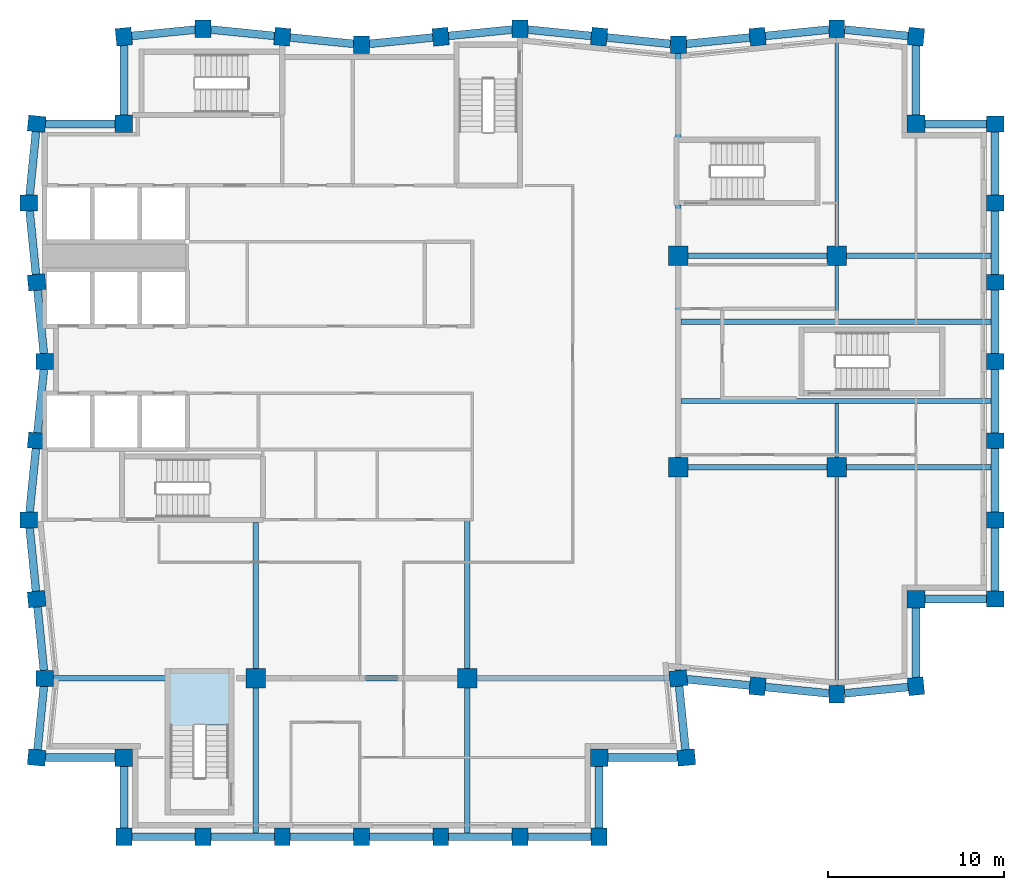
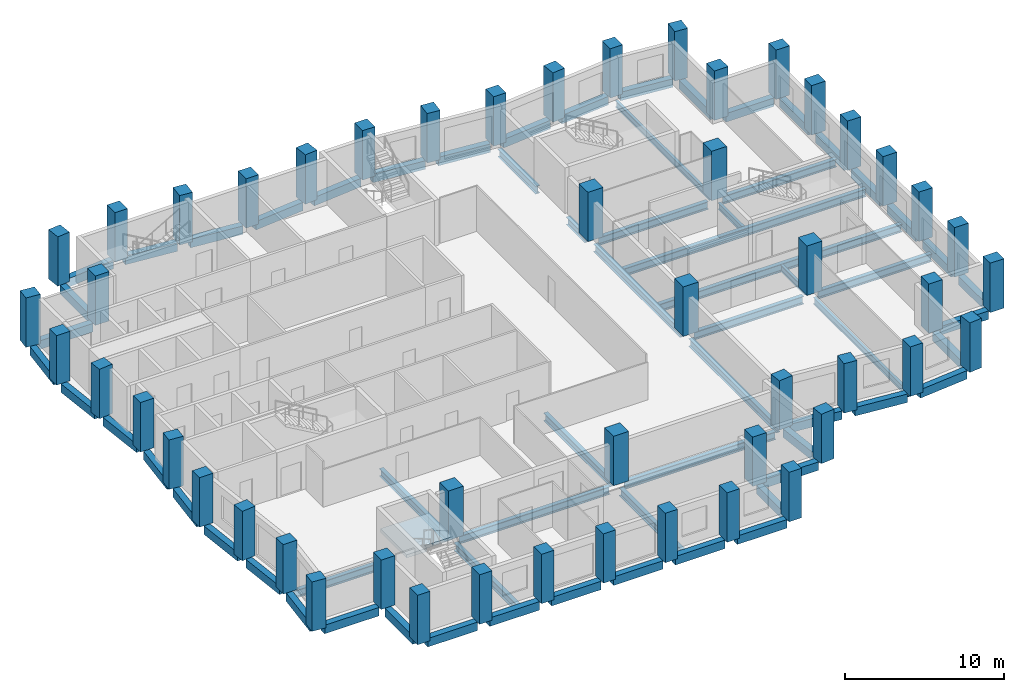
# One storey, part 1 of 7: 65 beams, 50 columns, 1 slab, 1 element without a shape of its own.
"""IFC4 building model written with IfcOpenShell, lengths in metres."""

from ifc_helpers import new_model, si_unit, direction, frame, origin, origin_2d, place, context, subcontext, project, spatial, polyline, rectangle, i_section, outline, extrude, material, layer, layer_set, material_profile, profile_set, type_object, element, aggregate, save


model = new_model("IFC4")

# Units and contexts
model_context = context("Model", 3, precision=1e-05, world=origin(), true_north=direction((0.0, 1.0)))
body_context = subcontext(model_context, "Body", "Model", "MODEL_VIEW")
ifc_project = project(units=[si_unit("LENGTHUNIT", "METRE"), si_unit("AREAUNIT", "SQUARE_METRE"), si_unit("VOLUMEUNIT", "CUBIC_METRE"), si_unit("PLANEANGLEUNIT", "RADIAN"), si_unit("MASSUNIT", "GRAM", prefix="KILO")], contexts=[model_context])

# Site, building, storey
site_placement = place(None, origin())
site = spatial("IfcSite", under=ifc_project, at=site_placement, CompositionType="ELEMENT")
building_placement = place(site_placement, origin())
building = spatial("IfcBuilding", under=site, at=building_placement, Name="Brondeck Convention Tower", CompositionType="ELEMENT")
storey_placement = place(building_placement, frame((0.0, 0.0, 206.39990234375)))
storey = spatial("IfcBuildingStorey", under=building, at=storey_placement, Name="L50", CompositionType="ELEMENT", Elevation=206.39990234375)

# Columns
ifc_material_1 = material(Name="Concrete C50/60", Category="concrete")
ifc_material_profile_1 = material_profile(ifc_material_1, rectangle(XDim=1.0, YDim=1.0, at=origin_2d()), Name="Corner column 1000x1000 Concrete C50/60")
ifc_profile_set_1 = profile_set([ifc_material_profile_1], Name="Concrete C50/60")
column_type_1 = type_object("IfcColumnType", Name="Corner column 1000x1000 Concrete C50/60", PredefinedType="COLUMN", material=ifc_profile_set_1)
for number, where, z_axis, x_axis, name in (
    (1, (4.5, 22.5, 0.0), (0.0, 0.0, 1.0), (1.0, 0.0, 0.0), "STR-COL-L50-NC-SWB18"),
    (2, (31.5, 22.5, 0.0), (0.0, 0.0, 1.0), (1.0, 0.0, 0.0), "STR-COL-L50-NC-SEB18"),
    (3, (49.5, 31.5, 0.0), (0.0, 0.0, 1.0), (1.0, 0.0, 0.0), "STR-COL-L50-NC-SEA54"),
    (4, (49.5, 58.5, 0.0), (0.0, 0.0, 1.0), (1.0, 0.0, 0.0), "STR-COL-L50-NC-NEA54"),
    (5, (4.5, 58.5, 0.0), (0.0, 0.0, 1.0), (1.0, 0.0, 0.0), "STR-COL-L50-NC-NW"),
):
    element("IfcColumn", number, at=place(storey_placement, frame(where, z_axis=z_axis, x_axis=x_axis)), inside=storey, type_object=column_type_1, Name=name, PredefinedType="COLUMN", context=body_context, shape_type="SweptSolid", body=[
        extrude(rectangle(XDim=1.0, YDim=1.0, at=origin_2d()), origin(), (0.0, 0.0, 1.0), 3.800048828125),
    ])
ifc_material_profile_2 = material_profile(ifc_material_1, rectangle(XDim=1.10009765625, YDim=1.10009765625, at=origin_2d()), Name="Interior column 1100x1100 Concrete C50/60")
ifc_profile_set_2 = profile_set([ifc_material_profile_2], Name="Concrete C50/60")
column_type_2 = type_object("IfcColumnType", Name="Interior column 1100x1100 Concrete C50/60", PredefinedType="COLUMN", material=ifc_profile_set_2)
for number, where, z_axis, x_axis, name in (
    (6, (12.0, 27.0, 0.0), (0.0, 0.0, 1.0), (1.0, 0.0, 0.0), "STR-COL-L50-IC-03"),
    (7, (24.0, 27.0, 0.0), (0.0, 0.0, 1.0), (1.0, 0.0, 0.0), "STR-COL-L50-IC-06"),
    (8, (36.0, 39.0, 0.0), (0.0, 0.0, 1.0), (1.0, 0.0, 0.0), "STR-COL-L50-IC-07"),
    (9, (36.0, 51.0, 0.0), (0.0, 0.0, 1.0), (1.0, 0.0, 0.0), "STR-COL-L50-IC-08"),
    (10, (45.0, 39.0, 0.0), (0.0, 0.0, 1.0), (1.0, 0.0, 0.0), "STR-COL-L50-IC-09"),
    (11, (45.0, 51.0, 0.0), (0.0, 0.0, 1.0), (1.0, 0.0, 0.0), "STR-COL-L50-IC-10"),
):
    element("IfcColumn", number, at=place(storey_placement, frame(where, z_axis=z_axis, x_axis=x_axis)), inside=storey, type_object=column_type_2, Name=name, PredefinedType="COLUMN", context=body_context, shape_type="SweptSolid", body=[
        extrude(rectangle(XDim=1.10009765625, YDim=1.10009765625, at=origin_2d()), origin(), (0.0, 0.0, 1.0), 3.800048828125),
    ])
ifc_material_profile_3 = material_profile(ifc_material_1, rectangle(XDim=0.89990234375, YDim=1.0, at=origin_2d()), Name="Perimeter pier 900x1000 Concrete C50/60")
ifc_profile_set_3 = profile_set([ifc_material_profile_3], Name="Concrete C50/60")
column_type_3 = type_object("IfcColumnType", Name="Perimeter pier 900x1000 Concrete C50/60", PredefinedType="COLUMN", material=ifc_profile_set_3)
for number, where, z_axis, x_axis, name in (
    (12, (4.5, 18.0, 0.0), (0.0, 0.0, 1.0), (1.0, 0.0, 0.0), "STR-COL-L50-PC-B-S18-01"),
    (13, (9.0, 18.0, 0.0), (0.0, 0.0, 1.0), (1.0, 0.0, 0.0), "STR-COL-L50-PC-B-S18-02"),
    (14, (13.5, 18.0, 0.0), (0.0, 0.0, 1.0), (1.0, 0.0, 0.0), "STR-COL-L50-PC-B-S18-03"),
    (15, (18.0, 18.0, 0.0), (0.0, 0.0, 1.0), (1.0, 0.0, 0.0), "STR-COL-L50-PC-B-S18-04"),
    (16, (22.5, 18.0, 0.0), (0.0, 0.0, 1.0), (1.0, 0.0, 0.0), "STR-COL-L50-PC-B-S18-05"),
    (17, (27.0, 18.0, 0.0), (0.0, 0.0, 1.0), (1.0, 0.0, 0.0), "STR-COL-L50-PC-B-S18-06"),
    (18, (31.5, 18.0, 0.0), (0.0, 0.0, 1.0), (1.0, 0.0, 0.0), "STR-COL-L50-PC-B-S18-07"),
    (19, (36.449951171875, 22.5, 0.0), (0.0, 0.0, 1.0), (-0.0995038382, 0.995037178292, 0.0), "STR-COL-L50-PC-B-E-01"),
    (20, (36.0, 27.0, 0.0), (0.0, 0.0, 1.0), (-0.0995038382, 0.995037178292, 0.0), "STR-COL-L50-PC-B-E-00"),
    (21, (40.5, 26.550048828125, 0.0), (0.0, 0.0, 1.0), (0.995037178292, -0.0995038382, 0.0), "STR-COL-L50-PC-A-S-01"),
    (22, (45.0, 26.10009765625, 0.0), (0.0, 0.0, 1.0), (1.0, 0.0, 0.0), "STR-COL-L50-PC-A-S-02"),
    (23, (49.5, 26.550048828125, 0.0), (0.0, 0.0, 1.0), (0.995037178292, 0.0995038382, 0.0), "STR-COL-L50-PC-A-S-03"),
    (24, (54.0, 31.5, 0.0), (0.0, 0.0, 1.0), (0.0, 1.0, 0.0), "STR-COL-L50-PC-A-E54-01"),
    (25, (54.0, 36.0, 0.0), (0.0, 0.0, 1.0), (0.0, 1.0, 0.0), "STR-COL-L50-PC-A-E54-02"),
    (26, (54.0, 40.5, 0.0), (0.0, 0.0, 1.0), (0.0, 1.0, 0.0), "STR-COL-L50-PC-A-E54-03"),
    (27, (54.0, 45.0, 0.0), (0.0, 0.0, 1.0), (0.0, 1.0, 0.0), "STR-COL-L50-PC-A-E54-04"),
    (28, (54.0, 49.5, 0.0), (0.0, 0.0, 1.0), (0.0, 1.0, 0.0), "STR-COL-L50-PC-A-E54-05"),
    (29, (54.0, 54.0, 0.0), (0.0, 0.0, 1.0), (0.0, 1.0, 0.0), "STR-COL-L50-PC-A-E54-06"),
    (30, (54.0, 58.5, 0.0), (0.0, 0.0, 1.0), (0.0, 1.0, 0.0), "STR-COL-L50-PC-A-E54-07"),
    (31, (49.5, 63.449951171875, 0.0), (0.0, 0.0, 1.0), (-0.995037178292, 0.0995038382, 0.0), "STR-COL-L50-PC-A-N-11"),
    (32, (45.0, 63.89990234375, 0.0), (0.0, 0.0, 1.0), (-1.0, 0.0, 0.0), "STR-COL-L50-PC-A-N-10"),
    (33, (40.5, 63.449951171875, 0.0), (0.0, 0.0, 1.0), (-0.995037178292, -0.0995038382, 0.0), "STR-COL-L50-PC-A-N-09"),
    (34, (36.0, 63.0, 0.0), (0.0, 0.0, 1.0), (-1.0, 0.0, 0.0), "STR-COL-L50-PC-A-N-08"),
    (35, (31.5, 63.449951171875, 0.0), (0.0, 0.0, 1.0), (-0.995037178292, 0.0995038382, 0.0), "STR-COL-L50-PC-A-N-07"),
    (36, (27.0, 63.89990234375, 0.0), (0.0, 0.0, 1.0), (-1.0, 0.0, 0.0), "STR-COL-L50-PC-A-N-06"),
    (37, (22.5, 63.449951171875, 0.0), (0.0, 0.0, 1.0), (-0.995037178292, -0.0995038382, 0.0), "STR-COL-L50-PC-A-N-05"),
    (38, (18.0, 63.0, 0.0), (0.0, 0.0, 1.0), (-1.0, 0.0, 0.0), "STR-COL-L50-PC-A-N-04"),
    (39, (13.5, 63.449951171875, 0.0), (0.0, 0.0, 1.0), (-0.995037178292, 0.0995038382, 0.0), "STR-COL-L50-PC-A-N-03"),
    (40, (9.0, 63.89990234375, 0.0), (0.0, 0.0, 1.0), (-1.0, 0.0, 0.0), "STR-COL-L50-PC-A-N-02"),
    (41, (4.5, 63.449951171875, 0.0), (0.0, 0.0, 1.0), (-0.995037178292, -0.0995038382, 0.0), "STR-COL-L50-PC-A-N-01"),
    (42, (-0.449951171875, 58.5, 0.0), (0.0, 0.0, 1.0), (-0.0995038382, -0.995037178292, 0.0), "STR-COL-L50-PC-B-W-01"),
    (43, (-0.89990234375, 54.0, 0.0), (0.0, 0.0, 1.0), (0.0, -1.0, 0.0), "STR-COL-L50-PC-B-W-02"),
    (44, (-0.449951171875, 49.5, 0.0), (0.0, 0.0, 1.0), (0.0995038382, -0.995037178292, 0.0), "STR-COL-L50-PC-B-W-03"),
    (45, (0.0, 45.0, 0.0), (0.0, 0.0, 1.0), (0.0, -1.0, 0.0), "STR-COL-L50-PC-B-W-04"),
    (46, (-0.449951171875, 40.5, 0.0), (0.0, 0.0, 1.0), (-0.0995038382, -0.995037178292, 0.0), "STR-COL-L50-PC-B-W-05"),
    (47, (-0.89990234375, 36.0, 0.0), (0.0, 0.0, 1.0), (0.0, -1.0, 0.0), "STR-COL-L50-PC-B-W-06"),
    (48, (-0.449951171875, 31.5, 0.0), (0.0, 0.0, 1.0), (0.0995038382, -0.995037178292, 0.0), "STR-COL-L50-PC-B-W-07"),
    (49, (0.0, 27.0, 0.0), (0.0, 0.0, 1.0), (0.0, -1.0, 0.0), "STR-COL-L50-PC-B-W-08"),
    (50, (-0.449951171875, 22.5, 0.0), (0.0, 0.0, 1.0), (-0.0995038382, -0.995037178292, 0.0), "STR-COL-L50-PC-B-W-09"),
):
    element("IfcColumn", number, at=place(storey_placement, frame(where, z_axis=z_axis, x_axis=x_axis)), inside=storey, type_object=column_type_3, Name=name, PredefinedType="COLUMN", context=body_context, shape_type="SweptSolid", body=[
        extrude(rectangle(XDim=0.89990234375, YDim=1.0, at=origin_2d()), origin(), (0.0, 0.0, 1.0), 3.800048828125),
    ])

# Beams
ifc_material_2 = material(Name="Steel S355", Category="steel")
ifc_material_profile_4 = material_profile(ifc_material_2, i_section(OverallWidth=0.199951171875, OverallDepth=0.5, WebThickness=0.01025390625, FlangeThickness=0.01611328125, FilletRadius=0.02099609375, at=origin_2d()), Name="IPE 500")
ifc_profile_set_4 = profile_set([ifc_material_profile_4], Name="Steel S355")
beam_type_1 = type_object("IfcBeamType", Name="Floor beam IPE 500", PredefinedType="BEAM", material=ifc_profile_set_4)
for number, where, z_axis, x_axis, name in (
    (51, (45.0, 26.60009765625, -0.5498046875), (0.0, 1.0, 0.0), (-1.0, 0.0, 0.0), "STR-FB-L50-001"),
    (52, (45.0, 51.550048828125, -0.5498046875), (0.0, 1.0, 0.0), (-1.0, 0.0, 0.0), "STR-FB-L50-002"),
):
    element("IfcBeam", number, at=place(storey_placement, frame(where, z_axis=z_axis, x_axis=x_axis)), inside=storey, type_object=beam_type_1, Name=name, PredefinedType="BEAM", context=body_context, shape_type="SweptSolid", body=[
        extrude(i_section(OverallWidth=0.199951171875, OverallDepth=0.5, WebThickness=0.01025390625, FlangeThickness=0.01611328125, FilletRadius=0.02099609375, at=origin_2d()), origin(), (0.0, 0.0, 1.0), 11.849853515625),
    ])
for number, where, z_axis, x_axis, name in (
    (53, (45.0, 39.550048828125, -0.5498046875), (0.0, 1.0, 0.0), (-1.0, 0.0, 0.0), "STR-FB-L50-003"),
    (54, (45.0, 47.39990234375, -0.5498046875), (0.0, 1.0, 0.0), (-1.0, 0.0, 0.0), "STR-FB-L50-004"),
):
    element("IfcBeam", number, at=place(storey_placement, frame(where, z_axis=z_axis, x_axis=x_axis)), inside=storey, type_object=beam_type_1, Name=name, PredefinedType="BEAM", context=body_context, shape_type="SweptSolid", body=[
        extrude(i_section(OverallWidth=0.199951171875, OverallDepth=0.5, WebThickness=0.01025390625, FlangeThickness=0.01611328125, FilletRadius=0.02099609375, at=origin_2d()), origin(), (0.0, 0.0, 1.0), 3.050048828125),
    ])
ifc_material_profile_5 = material_profile(ifc_material_2, i_section(OverallWidth=0.300048828125, OverallDepth=0.60009765625, WebThickness=0.015380859375, FlangeThickness=0.030029296875, FilletRadius=0.027099609375, at=origin_2d()), Name="HEB 600")
ifc_profile_set_5 = profile_set([ifc_material_profile_5], Name="Steel S355")
beam_type_2 = type_object("IfcBeamType", Name="Girder HEB 600", PredefinedType="BEAM", material=ifc_profile_set_5)
beam_1_placement = place(storey_placement, frame((36.550048828125, 39.0, -0.599853515625), z_axis=(1.0, 0.0, 0.0), x_axis=(0.0, 1.0, 0.0)))
element("IfcBeam", 55, at=beam_1_placement, inside=storey, type_object=beam_type_2, Name="STR-GR-L50-001", PredefinedType="BEAM", context=body_context, shape_type="SweptSolid", body=[
    extrude(i_section(OverallWidth=0.300048828125, OverallDepth=0.60009765625, WebThickness=0.015380859375, FlangeThickness=0.030029296875, FilletRadius=0.027099609375, at=origin_2d()), origin(), (0.0, 0.0, 1.0), 7.89990234375),
])
beam_2_placement = place(storey_placement, frame((45.550048828125, 39.0, -0.599853515625), z_axis=(1.0, 0.0, 0.0), x_axis=(0.0, 1.0, 0.0)))
element("IfcBeam", 56, at=beam_2_placement, inside=storey, type_object=beam_type_2, Name="STR-GR-L50-002", PredefinedType="BEAM", context=body_context, shape_type="SweptSolid", body=[
    extrude(i_section(OverallWidth=0.300048828125, OverallDepth=0.60009765625, WebThickness=0.015380859375, FlangeThickness=0.030029296875, FilletRadius=0.027099609375, at=origin_2d()), origin(), (0.0, 0.0, 1.0), 8.224853515625),
])
beam_3_placement = place(storey_placement, frame((36.550048828125, 51.0, -0.599853515625), z_axis=(1.0, 0.0, 0.0), x_axis=(0.0, 1.0, 0.0)))
element("IfcBeam", 57, at=beam_3_placement, inside=storey, type_object=beam_type_2, Name="STR-GR-L50-003", PredefinedType="BEAM", context=body_context, shape_type="SweptSolid", body=[
    extrude(i_section(OverallWidth=0.300048828125, OverallDepth=0.60009765625, WebThickness=0.015380859375, FlangeThickness=0.030029296875, FilletRadius=0.027099609375, at=origin_2d()), origin(), (0.0, 0.0, 1.0), 7.89990234375),
])
beam_4_placement = place(storey_placement, frame((45.550048828125, 51.0, -0.599853515625), z_axis=(1.0, 0.0, 0.0), x_axis=(0.0, 1.0, 0.0)))
element("IfcBeam", 58, at=beam_4_placement, inside=storey, type_object=beam_type_2, Name="STR-GR-L50-004", PredefinedType="BEAM", context=body_context, shape_type="SweptSolid", body=[
    extrude(i_section(OverallWidth=0.300048828125, OverallDepth=0.60009765625, WebThickness=0.015380859375, FlangeThickness=0.030029296875, FilletRadius=0.027099609375, at=origin_2d()), origin(), (0.0, 0.0, 1.0), 8.224853515625),
])
beam_5_placement = place(storey_placement, frame((36.0, 27.4521484375, -0.599853515625), z_axis=(0.0, 1.0, 0.0), x_axis=(-1.0, 0.0, 0.0)))
element("IfcBeam", 59, at=beam_5_placement, inside=storey, type_object=beam_type_2, Name="STR-GR-L50-005", PredefinedType="BEAM", context=body_context, shape_type="SweptSolid", body=[
    extrude(i_section(OverallWidth=0.300048828125, OverallDepth=0.60009765625, WebThickness=0.015380859375, FlangeThickness=0.030029296875, FilletRadius=0.027099609375, at=origin_2d()), origin(), (0.0, 0.0, 1.0), 10.997802734375),
])
beam_6_placement = place(storey_placement, frame((36.0, 39.550048828125, -0.599853515625), z_axis=(0.0, 1.0, 0.0), x_axis=(-1.0, 0.0, 0.0)))
element("IfcBeam", 60, at=beam_6_placement, inside=storey, type_object=beam_type_2, Name="STR-GR-L50-006", PredefinedType="BEAM", context=body_context, shape_type="SweptSolid", body=[
    extrude(i_section(OverallWidth=0.300048828125, OverallDepth=0.60009765625, WebThickness=0.015380859375, FlangeThickness=0.030029296875, FilletRadius=0.027099609375, at=origin_2d()), origin(), (0.0, 0.0, 1.0), 10.89990234375),
])
beam_7_placement = place(storey_placement, frame((36.0, 51.550048828125, -0.599853515625), z_axis=(0.0, 1.0, 0.0), x_axis=(-1.0, 0.0, 0.0)))
element("IfcBeam", 61, at=beam_7_placement, inside=storey, type_object=beam_type_2, Name="STR-GR-L50-007", PredefinedType="BEAM", context=body_context, shape_type="SweptSolid", body=[
    extrude(i_section(OverallWidth=0.300048828125, OverallDepth=0.60009765625, WebThickness=0.015380859375, FlangeThickness=0.030029296875, FilletRadius=0.027099609375, at=origin_2d()), origin(), (0.0, 0.0, 1.0), 2.329833984375),
])
beam_8_placement = place(storey_placement, frame((36.0, 57.719970703125, -0.599853515625), z_axis=(0.0, 1.0, 0.0), x_axis=(-1.0, 0.0, 0.0)))
element("IfcBeam", 62, at=beam_8_placement, inside=storey, type_object=beam_type_2, Name="STR-GR-L50-008", PredefinedType="BEAM", context=body_context, shape_type="SweptSolid", body=[
    extrude(i_section(OverallWidth=0.300048828125, OverallDepth=0.60009765625, WebThickness=0.015380859375, FlangeThickness=0.030029296875, FilletRadius=0.027099609375, at=origin_2d()), origin(), (0.0, 0.0, 1.0), 4.780029296875),
])
beam_9_placement = place(storey_placement, frame((12.0, 35.85009765625, -0.599853515625), z_axis=(0.0, -1.0, 0.0), x_axis=(1.0, 0.0, 0.0)))
element("IfcBeam", 63, at=beam_9_placement, inside=storey, type_object=beam_type_2, Name="STR-GR-L50-009", PredefinedType="BEAM", context=body_context, shape_type="SweptSolid", body=[
    extrude(i_section(OverallWidth=0.300048828125, OverallDepth=0.60009765625, WebThickness=0.015380859375, FlangeThickness=0.030029296875, FilletRadius=0.027099609375, at=origin_2d()), origin(), (0.0, 0.0, 1.0), 8.300048828125),
])
beam_10_placement = place(storey_placement, frame((12.0, 26.449951171875, -0.599853515625), z_axis=(0.0, -1.0, 0.0), x_axis=(1.0, 0.0, 0.0)))
element("IfcBeam", 64, at=beam_10_placement, inside=storey, type_object=beam_type_2, Name="STR-GR-L50-010", PredefinedType="BEAM", context=body_context, shape_type="SweptSolid", body=[
    extrude(i_section(OverallWidth=0.300048828125, OverallDepth=0.60009765625, WebThickness=0.015380859375, FlangeThickness=0.030029296875, FilletRadius=0.027099609375, at=origin_2d()), origin(), (0.0, 0.0, 1.0), 8.224853515625),
])
beam_11_placement = place(storey_placement, frame((24.0, 35.955078125, -0.599853515625), z_axis=(0.0, -1.0, 0.0), x_axis=(1.0, 0.0, 0.0)))
element("IfcBeam", 65, at=beam_11_placement, inside=storey, type_object=beam_type_2, Name="STR-GR-L50-011", PredefinedType="BEAM", context=body_context, shape_type="SweptSolid", body=[
    extrude(i_section(OverallWidth=0.300048828125, OverallDepth=0.60009765625, WebThickness=0.015380859375, FlangeThickness=0.030029296875, FilletRadius=0.027099609375, at=origin_2d()), origin(), (0.0, 0.0, 1.0), 8.405029296875),
])
beam_12_placement = place(storey_placement, frame((24.0, 26.449951171875, -0.599853515625), z_axis=(0.0, -1.0, 0.0), x_axis=(1.0, 0.0, 0.0)))
element("IfcBeam", 66, at=beam_12_placement, inside=storey, type_object=beam_type_2, Name="STR-GR-L50-012", PredefinedType="BEAM", context=body_context, shape_type="SweptSolid", body=[
    extrude(i_section(OverallWidth=0.300048828125, OverallDepth=0.60009765625, WebThickness=0.015380859375, FlangeThickness=0.030029296875, FilletRadius=0.027099609375, at=origin_2d()), origin(), (0.0, 0.0, 1.0), 8.224853515625),
])
beam_13_placement = place(storey_placement, frame((0.5, 27.0, -0.599853515625), z_axis=(1.0, 0.0, 0.0), x_axis=(0.0, 1.0, 0.0)))
element("IfcBeam", 67, at=beam_13_placement, inside=storey, type_object=beam_type_2, Name="STR-GR-L50-013", PredefinedType="BEAM", context=body_context, shape_type="SweptSolid", body=[
    extrude(i_section(OverallWidth=0.300048828125, OverallDepth=0.60009765625, WebThickness=0.015380859375, FlangeThickness=0.030029296875, FilletRadius=0.027099609375, at=origin_2d()), origin(), (0.0, 0.0, 1.0), 6.3798828125),
])
beam_14_placement = place(storey_placement, frame((12.550048828125, 27.0, -0.599853515625), z_axis=(1.0, 0.0, 0.0), x_axis=(0.0, 1.0, 0.0)))
element("IfcBeam", 68, at=beam_14_placement, inside=storey, type_object=beam_type_2, Name="STR-GR-L50-014", PredefinedType="BEAM", context=body_context, shape_type="SweptSolid", body=[
    extrude(i_section(OverallWidth=0.300048828125, OverallDepth=0.60009765625, WebThickness=0.015380859375, FlangeThickness=0.030029296875, FilletRadius=0.027099609375, at=origin_2d()), origin(), (0.0, 0.0, 1.0), 10.89990234375),
])
beam_15_placement = place(storey_placement, frame((24.550048828125, 27.0, -0.599853515625), z_axis=(1.0, 0.0, 0.0), x_axis=(0.0, 1.0, 0.0)))
element("IfcBeam", 69, at=beam_15_placement, inside=storey, type_object=beam_type_2, Name="STR-GR-L50-015", PredefinedType="BEAM", context=body_context, shape_type="SweptSolid", body=[
    extrude(i_section(OverallWidth=0.300048828125, OverallDepth=0.60009765625, WebThickness=0.015380859375, FlangeThickness=0.030029296875, FilletRadius=0.027099609375, at=origin_2d()), origin(), (0.0, 0.0, 1.0), 10.947509765625),
])
for number, where, z_axis, x_axis, name in (
    (70, (36.14990234375, 42.75, -0.599853515625), (1.0, 0.0, 0.0), (0.0, 1.0, 0.0), "STR-GR-L50-016"),
    (71, (36.14990234375, 47.25, -0.599853515625), (1.0, 0.0, 0.0), (0.0, 1.0, 0.0), "STR-GR-L50-017"),
):
    element("IfcBeam", number, at=place(storey_placement, frame(where, z_axis=z_axis, x_axis=x_axis)), inside=storey, type_object=beam_type_2, Name=name, PredefinedType="BEAM", context=body_context, shape_type="SweptSolid", body=[
        extrude(i_section(OverallWidth=0.300048828125, OverallDepth=0.60009765625, WebThickness=0.015380859375, FlangeThickness=0.030029296875, FilletRadius=0.027099609375, at=origin_2d()), origin(), (0.0, 0.0, 1.0), 17.625),
    ])
ifc_material_profile_6 = material_profile(ifc_material_1, rectangle(XDim=0.449951171875, YDim=0.64990234375, at=origin_2d()), Name="Precast spandrel 450x650 Concrete C50/60")
ifc_profile_set_6 = profile_set([ifc_material_profile_6], Name="Concrete C50/60")
beam_type_3 = type_object("IfcBeamType", Name="Precast spandrel 450x650 Concrete C50/60", PredefinedType="SPANDREL", material=ifc_profile_set_6)
for number, where, z_axis, x_axis, name in (
    (72, (4.949951171875, 18.0, -0.324951171875), (1.0, 0.0, 0.0), (0.0, 1.0, 0.0), "STR-SP-L50-001"),
    (73, (9.449951171875, 18.0, -0.324951171875), (1.0, 0.0, 0.0), (0.0, 1.0, 0.0), "STR-SP-L50-002"),
    (74, (13.949951171875, 18.0, -0.324951171875), (1.0, 0.0, 0.0), (0.0, 1.0, 0.0), "STR-SP-L50-003"),
    (75, (18.449951171875, 18.0, -0.324951171875), (1.0, 0.0, 0.0), (0.0, 1.0, 0.0), "STR-SP-L50-004"),
    (76, (22.949951171875, 18.0, -0.324951171875), (1.0, 0.0, 0.0), (0.0, 1.0, 0.0), "STR-SP-L50-005"),
    (77, (27.449951171875, 18.0, -0.324951171875), (1.0, 0.0, 0.0), (0.0, 1.0, 0.0), "STR-SP-L50-006"),
):
    element("IfcBeam", number, at=place(storey_placement, frame(where, z_axis=z_axis, x_axis=x_axis)), inside=storey, type_object=beam_type_3, Name=name, PredefinedType="SPANDREL", context=body_context, shape_type="SweptSolid", body=[
        extrude(rectangle(XDim=0.449951171875, YDim=0.64990234375, at=origin_2d()), origin(), (0.0, 0.0, 1.0), 3.60009765625),
    ])
beam_16_placement = place(storey_placement, frame((31.5, 18.5, -0.324951171875), z_axis=(0.0, 1.0, 0.0), x_axis=(-1.0, 0.0, 0.0)))
element("IfcBeam", 78, at=beam_16_placement, inside=storey, type_object=beam_type_3, Name="STR-SP-L50-007", PredefinedType="SPANDREL", context=body_context, shape_type="SweptSolid", body=[
    extrude(rectangle(XDim=0.449951171875, YDim=0.64990234375, at=origin_2d()), origin(), (0.0, 0.0, 1.0), 3.5),
])
beam_17_placement = place(storey_placement, frame((32.0, 22.5, -0.324951171875), z_axis=(1.0, 0.0, 0.0), x_axis=(0.0, 1.0, 0.0)))
element("IfcBeam", 79, at=beam_17_placement, inside=storey, type_object=beam_type_3, Name="STR-SP-L50-008", PredefinedType="SPANDREL", context=body_context, shape_type="SweptSolid", body=[
    extrude(rectangle(XDim=0.449951171875, YDim=0.64990234375, at=origin_2d()), origin(), (0.0, 0.0, 1.0), 3.947509765625),
])
beam_18_placement = place(storey_placement, frame((36.4052734375, 22.94775390625, -0.324951171875), z_axis=(-0.099543756114, 0.995033185687, 0.0), x_axis=(-0.995033185687, -0.099543756114, 0.0)))
element("IfcBeam", 80, at=beam_18_placement, inside=storey, type_object=beam_type_3, Name="STR-SP-L50-009", PredefinedType="SPANDREL", context=body_context, shape_type="SweptSolid", body=[
    extrude(rectangle(XDim=0.449951171875, YDim=0.64990234375, at=origin_2d()), origin(), (0.0, 0.0, 1.0), 3.62255859375),
])
beam_19_placement = place(storey_placement, frame((36.507568359375, 26.94921875, -0.324951171875), z_axis=(0.995036511638, -0.099510504504, 0.0), x_axis=(0.099510504504, 0.995036511638, 0.0)))
element("IfcBeam", 81, at=beam_19_placement, inside=storey, type_object=beam_type_3, Name="STR-SP-L50-010", PredefinedType="SPANDREL", context=body_context, shape_type="SweptSolid", body=[
    extrude(rectangle(XDim=0.449951171875, YDim=0.64990234375, at=origin_2d()), origin(), (0.0, 0.0, 1.0), 3.562255859375),
])
for number, where, z_axis, x_axis, name in (
    (82, (40.94775390625, 26.505126953125, -0.324951171875), (0.995040528141, -0.099470334057, 0.0), (0.099470334057, 0.995040528141, 0.0), "STR-SP-L50-011"),
    (83, (45.449951171875, 26.14501953125, -0.324951171875), (0.995040528141, 0.099470334057, 0.0), (-0.099470334057, 0.995040528141, 0.0), "STR-SP-L50-012"),
):
    element("IfcBeam", number, at=place(storey_placement, frame(where, z_axis=z_axis, x_axis=x_axis)), inside=storey, type_object=beam_type_3, Name=name, PredefinedType="SPANDREL", context=body_context, shape_type="SweptSolid", body=[
        extrude(rectangle(XDim=0.449951171875, YDim=0.64990234375, at=origin_2d()), origin(), (0.0, 0.0, 1.0), 3.620361328125),
    ])
beam_20_placement = place(storey_placement, frame((49.5, 27.052490234375, -0.324951171875), z_axis=(0.0, 1.0, 0.0), x_axis=(-1.0, 0.0, 0.0)))
element("IfcBeam", 84, at=beam_20_placement, inside=storey, type_object=beam_type_3, Name="STR-SP-L50-013", PredefinedType="SPANDREL", context=body_context, shape_type="SweptSolid", body=[
    extrude(rectangle(XDim=0.449951171875, YDim=0.64990234375, at=origin_2d()), origin(), (0.0, 0.0, 1.0), 3.947509765625),
])
beam_21_placement = place(storey_placement, frame((50.0, 31.5, -0.324951171875), z_axis=(1.0, 0.0, 0.0), x_axis=(0.0, 1.0, 0.0)))
element("IfcBeam", 85, at=beam_21_placement, inside=storey, type_object=beam_type_3, Name="STR-SP-L50-014", PredefinedType="SPANDREL", context=body_context, shape_type="SweptSolid", body=[
    extrude(rectangle(XDim=0.449951171875, YDim=0.64990234375, at=origin_2d()), origin(), (0.0, 0.0, 1.0), 3.5),
])
for number, where, z_axis, x_axis, name in (
    (86, (54.0, 31.949951171875, -0.324951171875), (0.0, 1.0, 0.0), (-1.0, 0.0, 0.0), "STR-SP-L50-015"),
    (87, (54.0, 36.449951171875, -0.324951171875), (0.0, 1.0, 0.0), (-1.0, 0.0, 0.0), "STR-SP-L50-016"),
    (88, (54.0, 40.949951171875, -0.324951171875), (0.0, 1.0, 0.0), (-1.0, 0.0, 0.0), "STR-SP-L50-017"),
    (89, (54.0, 45.449951171875, -0.324951171875), (0.0, 1.0, 0.0), (-1.0, 0.0, 0.0), "STR-SP-L50-018"),
    (90, (54.0, 49.949951171875, -0.324951171875), (0.0, 1.0, 0.0), (-1.0, 0.0, 0.0), "STR-SP-L50-019"),
    (91, (54.0, 54.449951171875, -0.324951171875), (0.0, 1.0, 0.0), (-1.0, 0.0, 0.0), "STR-SP-L50-020"),
):
    element("IfcBeam", number, at=place(storey_placement, frame(where, z_axis=z_axis, x_axis=x_axis)), inside=storey, type_object=beam_type_3, Name=name, PredefinedType="SPANDREL", context=body_context, shape_type="SweptSolid", body=[
        extrude(rectangle(XDim=0.449951171875, YDim=0.64990234375, at=origin_2d()), origin(), (0.0, 0.0, 1.0), 3.60009765625),
    ])
beam_22_placement = place(storey_placement, frame((53.5, 58.5, -0.324951171875), z_axis=(-1.0, 0.0, 0.0), x_axis=(0.0, -1.0, 0.0)))
element("IfcBeam", 92, at=beam_22_placement, inside=storey, type_object=beam_type_3, Name="STR-SP-L50-021", PredefinedType="SPANDREL", context=body_context, shape_type="SweptSolid", body=[
    extrude(rectangle(XDim=0.449951171875, YDim=0.64990234375, at=origin_2d()), origin(), (0.0, 0.0, 1.0), 3.5),
])
beam_23_placement = place(storey_placement, frame((49.5, 59.0, -0.324951171875), z_axis=(0.0, 1.0, 0.0), x_axis=(-1.0, 0.0, 0.0)))
element("IfcBeam", 93, at=beam_23_placement, inside=storey, type_object=beam_type_3, Name="STR-SP-L50-022", PredefinedType="SPANDREL", context=body_context, shape_type="SweptSolid", body=[
    extrude(rectangle(XDim=0.449951171875, YDim=0.64990234375, at=origin_2d()), origin(), (0.0, 0.0, 1.0), 3.947509765625),
])
for number, where, z_axis, x_axis, name in (
    (94, (49.05224609375, 63.494873046875, -0.324951171875), (-0.995040528141, 0.099470334057, 0.0), (-0.099470334057, -0.995040528141, 0.0), "STR-SP-L50-023"),
    (95, (44.550048828125, 63.85498046875, -0.324951171875), (-0.995040528141, -0.099470334057, 0.0), (0.099470334057, -0.995040528141, 0.0), "STR-SP-L50-024"),
    (96, (40.05224609375, 63.4052734375, -0.324951171875), (-0.995033851182, -0.099537103649, 0.0), (0.099537103649, -0.995033851182, 0.0), "STR-SP-L50-025"),
    (97, (35.550048828125, 63.044921875, -0.324951171875), (-0.995033851182, 0.099537103649, 0.0), (-0.099537103649, -0.995033851182, 0.0), "STR-SP-L50-026"),
    (98, (31.05224609375, 63.494873046875, -0.324951171875), (-0.995040528141, 0.099470334057, 0.0), (-0.099470334057, -0.995040528141, 0.0), "STR-SP-L50-027"),
    (99, (26.550048828125, 63.85498046875, -0.324951171875), (-0.995040528141, -0.099470334057, 0.0), (0.099470334057, -0.995040528141, 0.0), "STR-SP-L50-028"),
    (100, (22.05224609375, 63.4052734375, -0.324951171875), (-0.995033851182, -0.099537103649, 0.0), (0.099537103649, -0.995033851182, 0.0), "STR-SP-L50-029"),
    (101, (17.550048828125, 63.044921875, -0.324951171875), (-0.995033851182, 0.099537103649, 0.0), (-0.099537103649, -0.995033851182, 0.0), "STR-SP-L50-030"),
    (102, (13.05224609375, 63.494873046875, -0.324951171875), (-0.995040528141, 0.099470334057, 0.0), (-0.099470334057, -0.995040528141, 0.0), "STR-SP-L50-031"),
    (103, (8.550048828125, 63.85498046875, -0.324951171875), (-0.995040528141, -0.099470334057, 0.0), (0.099470334057, -0.995040528141, 0.0), "STR-SP-L50-032"),
):
    element("IfcBeam", number, at=place(storey_placement, frame(where, z_axis=z_axis, x_axis=x_axis)), inside=storey, type_object=beam_type_3, Name=name, PredefinedType="SPANDREL", context=body_context, shape_type="SweptSolid", body=[
        extrude(rectangle(XDim=0.449951171875, YDim=0.64990234375, at=origin_2d()), origin(), (0.0, 0.0, 1.0), 3.620361328125),
    ])
for number, where, z_axis, x_axis, name in (
    (104, (4.5, 62.947509765625, -0.324951171875), (0.0, -1.0, 0.0), (1.0, 0.0, 0.0), "STR-SP-L50-033"),
    (105, (4.0, 58.5, -0.324951171875), (-1.0, 0.0, 0.0), (0.0, -1.0, 0.0), "STR-SP-L50-034"),
):
    element("IfcBeam", number, at=place(storey_placement, frame(where, z_axis=z_axis, x_axis=x_axis)), inside=storey, type_object=beam_type_3, Name=name, PredefinedType="SPANDREL", context=body_context, shape_type="SweptSolid", body=[
        extrude(rectangle(XDim=0.449951171875, YDim=0.64990234375, at=origin_2d()), origin(), (0.0, 0.0, 1.0), 3.947509765625),
    ])
for number, where, z_axis, x_axis, name in (
    (106, (-0.494873046875, 58.05224609375, -0.324951171875), (-0.099470334057, -0.995040528141, 0.0), (0.995040528141, -0.099470334057, 0.0), "STR-SP-L50-035"),
    (107, (-0.85498046875, 53.550048828125, -0.324951171875), (0.099470334057, -0.995040528141, 0.0), (0.995040528141, 0.099470334057, 0.0), "STR-SP-L50-036"),
    (108, (-0.4052734375, 49.05224609375, -0.324951171875), (0.099537103649, -0.995033851182, 0.0), (0.995033851182, 0.099537103649, 0.0), "STR-SP-L50-037"),
    (109, (-0.044921875, 44.550048828125, -0.324951171875), (-0.099537103649, -0.995033851182, 0.0), (0.995033851182, -0.099537103649, 0.0), "STR-SP-L50-038"),
    (110, (-0.494873046875, 40.05224609375, -0.324951171875), (-0.099470334057, -0.995040528141, 0.0), (0.995040528141, -0.099470334057, 0.0), "STR-SP-L50-039"),
    (111, (-0.85498046875, 35.550048828125, -0.324951171875), (0.099470334057, -0.995040528141, 0.0), (0.995040528141, 0.099470334057, 0.0), "STR-SP-L50-040"),
    (112, (-0.4052734375, 31.05224609375, -0.324951171875), (0.099537103649, -0.995033851182, 0.0), (0.995033851182, 0.099537103649, 0.0), "STR-SP-L50-041"),
    (113, (-0.044921875, 26.550048828125, -0.324951171875), (-0.099537103649, -0.995033851182, 0.0), (0.995033851182, -0.099537103649, 0.0), "STR-SP-L50-042"),
):
    element("IfcBeam", number, at=place(storey_placement, frame(where, z_axis=z_axis, x_axis=x_axis)), inside=storey, type_object=beam_type_3, Name=name, PredefinedType="SPANDREL", context=body_context, shape_type="SweptSolid", body=[
        extrude(rectangle(XDim=0.449951171875, YDim=0.64990234375, at=origin_2d()), origin(), (0.0, 0.0, 1.0), 3.620361328125),
    ])
beam_24_placement = place(storey_placement, frame((0.052490234375, 22.5, -0.324951171875), z_axis=(1.0, 0.0, 0.0), x_axis=(0.0, 1.0, 0.0)))
element("IfcBeam", 114, at=beam_24_placement, inside=storey, type_object=beam_type_3, Name="STR-SP-L50-043", PredefinedType="SPANDREL", context=body_context, shape_type="SweptSolid", body=[
    extrude(rectangle(XDim=0.449951171875, YDim=0.64990234375, at=origin_2d()), origin(), (0.0, 0.0, 1.0), 3.947509765625),
])
beam_25_placement = place(storey_placement, frame((4.5, 22.0, -0.324951171875), z_axis=(0.0, -1.0, 0.0), x_axis=(1.0, 0.0, 0.0)))
element("IfcBeam", 115, at=beam_25_placement, inside=storey, type_object=beam_type_3, Name="STR-SP-L50-044", PredefinedType="SPANDREL", context=body_context, shape_type="SweptSolid", body=[
    extrude(rectangle(XDim=0.449951171875, YDim=0.64990234375, at=origin_2d()), origin(), (0.0, 0.0, 1.0), 3.5),
])

# Stair, slab
ifc_material_3 = material(Name="Precast concrete C50/60", Category="concrete")
stair_type = type_object("IfcStairType", Name="Core stair 22 risers 172.73 mm riser 300 mm going 1350 wide", PredefinedType="HALF_TURN_STAIR", material=ifc_material_3)
stair_placement = place(storey_placement, origin())
stair = element("IfcStair", 116, at=stair_placement, inside=storey, type_object=stair_type, Name="ST-BE L50 stair", PredefinedType="HALF_TURN_STAIR")
ifc_layer = layer(ifc_material_3, 0.25)
ifc_layer_set = layer_set([ifc_layer], Name="Core stair landing 250 Precast concrete C50/60")
slab_type = type_object("IfcSlabType", Name="Core stair landing 250 Precast concrete C50/60", PredefinedType="LANDING", material=ifc_layer_set)
slab_placement = place(storey_placement, frame((0.0, 0.0, 1.650146484375)))
slab = element("IfcSlab", 117, at=slab_placement, type_object=slab_type, Name="ST-BE landing 1", PredefinedType="LANDING", context=body_context, shape_type="SweptSolid", body=[
    extrude(outline(polyline([(7.030029296875, 24.050048828125), (7.030029296875, 27.3701171875), (10.570068359375, 27.3701171875), (10.570068359375, 24.347900390625), (9.10009765625, 24.347900390625), (9.10009765625, 24.35009765625), (8.5, 24.35009765625), (8.5, 24.050048828125), (7.030029296875, 24.050048828125)])), origin(), (0.0, 0.0, 1.0), 0.25),
])
aggregate(stair, [slab])

save(model, "model.ifc")
